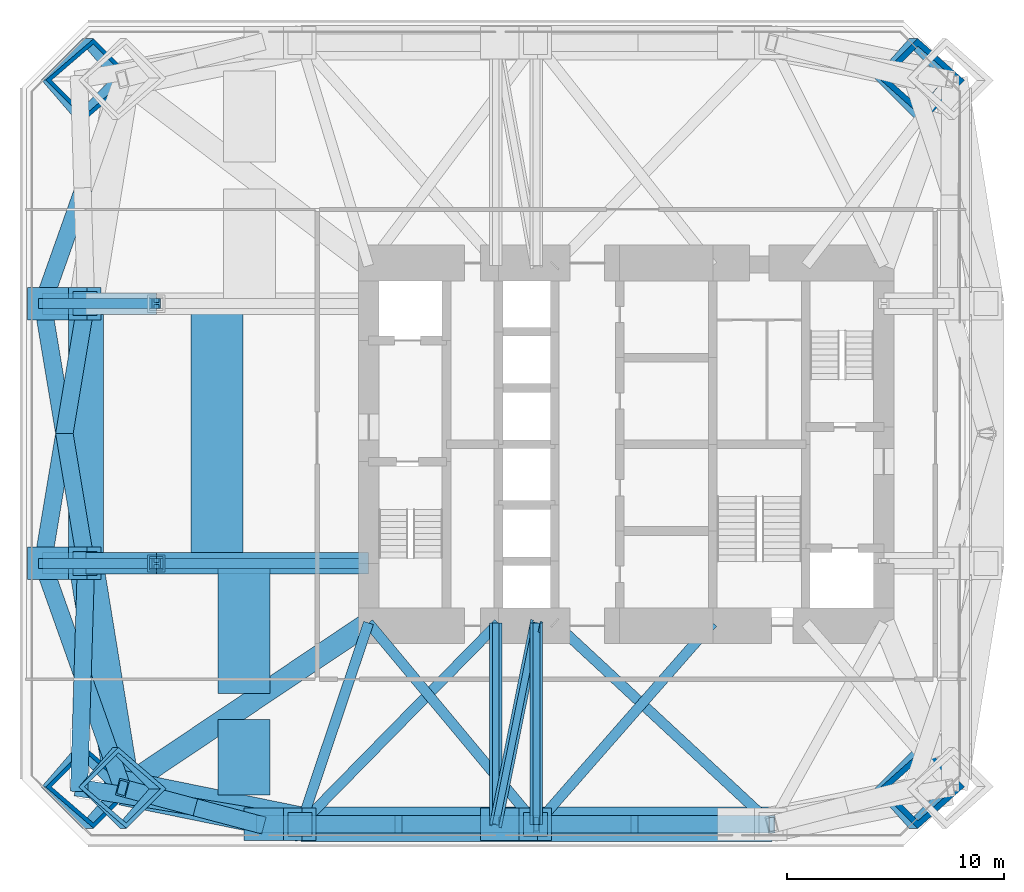
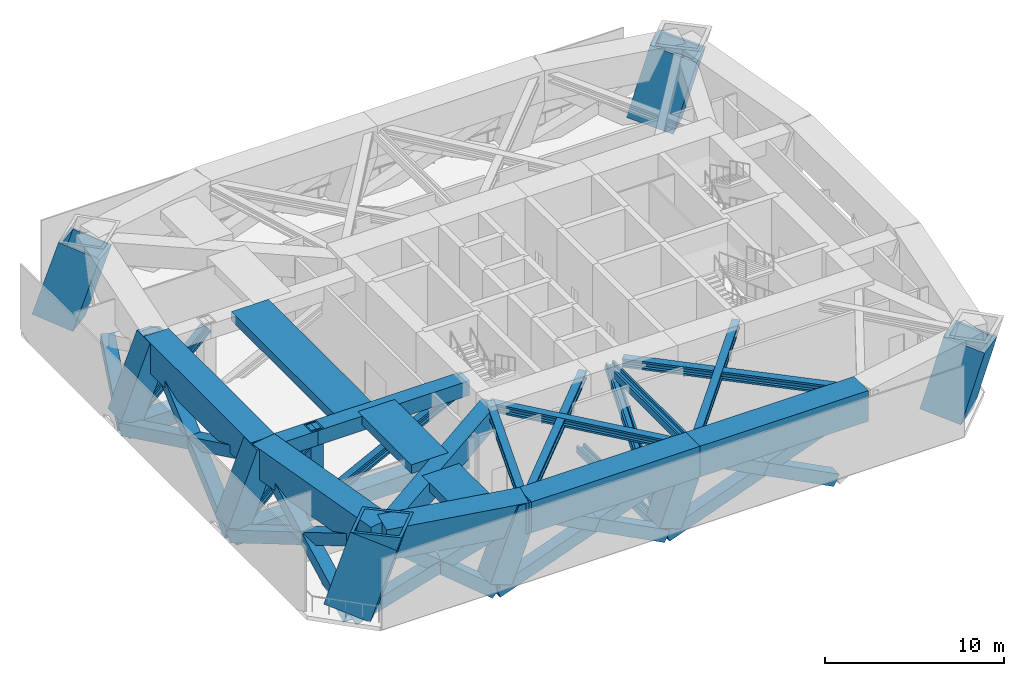
# One storey, part 1 of 8: 43 members, 9 beams, 4 columns.
"""IFC4 building model written with IfcOpenShell, lengths in metres."""

from ifc_helpers import new_model, si_unit, direction, frame, origin, origin_2d, place, context, subcontext, project, spatial, rectangle, hollow_rectangle, i_section, extrude, clip, halfspace, material, material_profile, profile_set, type_object, element, save


model = new_model("IFC4")

# Units and contexts
model_context = context("Model", 3, precision=1e-05, world=origin(), true_north=direction((0.0, 1.0)))
body_context = subcontext(model_context, "Body", "Model", "MODEL_VIEW")
ifc_project = project(units=[si_unit("LENGTHUNIT", "METRE"), si_unit("AREAUNIT", "SQUARE_METRE"), si_unit("VOLUMEUNIT", "CUBIC_METRE"), si_unit("PLANEANGLEUNIT", "RADIAN"), si_unit("MASSUNIT", "GRAM", prefix="KILO")], contexts=[model_context])

# Site, building, storey
site_placement = place(None, origin())
site = spatial("IfcSite", under=ifc_project, at=site_placement, CompositionType="ELEMENT")
building_placement = place(site_placement, origin())
building = spatial("IfcBuilding", under=site, at=building_placement, Name="Jalousie Tower", CompositionType="ELEMENT")
storey_placement = place(building_placement, frame((0.0, 0.0, 79.75)))
storey = spatial("IfcBuildingStorey", under=building, at=storey_placement, Name="L21", CompositionType="ELEMENT", Elevation=79.75)

# Columns
ifc_material_1 = material(Name="Steel EN 10025-2 S355J2 plate", Category="steel")
ifc_material_profile_1 = material_profile(ifc_material_1, hollow_rectangle(XDim=2.5, YDim=2.800048828125, WallThickness=0.175048828125, at=origin_2d()), Name="BOX 2800x2500x175")
ifc_profile_set_1 = profile_set([ifc_material_profile_1], Name="Steel EN 10025-2 S355J2 plate")
column_type_1 = type_object("IfcColumnType", Name="BUILT-UP BOX CORNER COLUMN BOX 2800x2500x175", PredefinedType="COLUMN", material=ifc_profile_set_1)
for number, where, z_axis, x_axis, name in (
    (1, (6.63134765625, 2.63134765625, 0.0), (0.371390676354, 0.0, 0.928476690885), (0.631748504238, 0.732827974204, -0.252699401695), "Corner column raked 01 L21"),
    (2, (6.63134765625, 35.36865234375, 0.0), (0.371390676354, 0.0, 0.928476690885), (0.631748504238, -0.732827974204, -0.252699401695), "Corner column raked 12 L21"),
):
    element("IfcColumn", number, at=place(storey_placement, frame(where, z_axis=z_axis, x_axis=x_axis)), inside=storey, type_object=column_type_1, Name=name, PredefinedType="COLUMN", context=body_context, shape_type="SweptSolid", body=[
        extrude(hollow_rectangle(XDim=2.5, YDim=2.800048828125, WallThickness=0.175048828125, at=origin_2d()), origin(), (0.0, 0.0, 1.0), 4.634521484375),
    ])
ifc_material_2 = material(Name="Steel EN 10025-2 S355J2 plate", Category="steel")
ifc_material_profile_2 = material_profile(ifc_material_2, hollow_rectangle(XDim=2.5, YDim=2.800048828125, WallThickness=0.25, at=origin_2d()), Name="BOX 2800x2500x250")
ifc_profile_set_2 = profile_set([ifc_material_profile_2], Name="Steel EN 10025-2 S355J2 plate")
column_type_2 = type_object("IfcColumnType", Name="BUILT-UP BOX CORNER COLUMN BOX 2800x2500x250", PredefinedType="COLUMN", material=ifc_profile_set_2)
for number, where, z_axis, x_axis, name in (
    (3, (45.11865234375, 2.63134765625, 0.0), (0.330350424728, 0.0, 0.943858356366), (-0.647863070943, 0.727225506888, 0.22675207483), "Corner column raked 05 L21"),
    (4, (45.11865234375, 35.36865234375, 0.0), (0.330350424728, 0.0, 0.943858356366), (-0.647863070943, -0.727225506888, 0.22675207483), "Corner column raked 08 L21"),
):
    element("IfcColumn", number, at=place(storey_placement, frame(where, z_axis=z_axis, x_axis=x_axis)), inside=storey, type_object=column_type_2, Name=name, PredefinedType="COLUMN", context=body_context, shape_type="SweptSolid", body=[
        extrude(hollow_rectangle(XDim=2.5, YDim=2.800048828125, WallThickness=0.25, at=origin_2d()), origin(), (0.0, 0.0, 1.0), 4.640869140625),
    ])

# Beam
ifc_material_3 = material(Name="Steel ASTM A572 Grade 50 plate", Category="steel")
ifc_material_profile_3 = material_profile(ifc_material_3, hollow_rectangle(XDim=1.0, YDim=1.5, WallThickness=0.10009765625, at=origin_2d()), Name="BOX 1500x1000x100")
ifc_profile_set_3 = profile_set([ifc_material_profile_3], Name="Steel ASTM A572 Grade 50 plate")
beam_type_1 = type_object("IfcBeamType", Name="KINK COLLECTOR BOX 1500x1000x100", PredefinedType="BEAM", material=ifc_profile_set_3)
beam_1_placement = place(storey_placement, frame((9.5654296875, 3.25732421875, 3.969970703125), z_axis=(0.830714249431, 0.556699053163, 0.0), x_axis=(-0.556699053163, 0.830714249431, 0.0)))
element("IfcBeam", 5, at=beam_1_placement, inside=storey, type_object=beam_type_1, Name="Kink collector 01 L22", PredefinedType="BEAM", context=body_context, shape_type="SweptSolid", body=[
    extrude(hollow_rectangle(XDim=1.0, YDim=1.5, WallThickness=0.10009765625, at=origin_2d()), origin(), (0.0, 0.0, 1.0), 12.56103515625),
])

# Members
ifc_material_4 = material(Name="Steel ASTM A992 Grade 50", Category="steel")
ifc_material_profile_4 = material_profile(ifc_material_4, i_section(OverallWidth=0.472412109375, OverallDepth=0.5791015625, WebThickness=0.094970703125, FlangeThickness=0.1298828125, at=origin_2d()), Name="W14X808")
ifc_profile_set_4 = profile_set([ifc_material_profile_4], Name="Steel ASTM A992 Grade 50")
member_type_1 = type_object("IfcMemberType", Name="KINK FLOOR TRUSS DIAGONAL W14X808", PredefinedType="BRACE", material=ifc_profile_set_4)
member_1_placement = place(storey_placement, frame((16.875, 0.949951171875, 4.430419921875), z_axis=(0.318518684712, 0.947916582558, 0.0), x_axis=(-0.947916582558, 0.318518684712, 0.0)))
element("IfcMember", 6, at=member_1_placement, inside=storey, type_object=member_type_1, Name="Kink floor truss L22 02 diagonal", PredefinedType="BRACE", context=body_context, shape_type="SweptSolid", body=[
    extrude(i_section(OverallWidth=0.472412109375, OverallDepth=0.5791015625, WebThickness=0.094970703125, FlangeThickness=0.1298828125, at=origin_2d()), origin(), (0.0, 0.0, 1.0), 9.81103515625),
])
member_2_placement = place(storey_placement, frame((16.875, 0.949951171875, 4.430419921875), z_axis=(0.700357242992, 0.713792499392, 0.0), x_axis=(-0.713792499392, 0.700357242992, 0.0)))
element("IfcMember", 7, at=member_2_placement, inside=storey, type_object=member_type_1, Name="Kink floor truss L22 02 diagonal", PredefinedType="BRACE", context=body_context, shape_type="SweptSolid", body=[
    extrude(i_section(OverallWidth=0.472412109375, OverallDepth=0.5791015625, WebThickness=0.094970703125, FlangeThickness=0.1298828125, at=origin_2d()), origin(), (0.0, 0.0, 1.0), 13.029052734375),
])
member_3_placement = place(storey_placement, frame((27.75, 0.949951171875, 4.430419921875), z_axis=(-0.640182416019, 0.768222932631, 0.0), x_axis=(-0.768222932631, -0.640182416019, 0.0)))
element("IfcMember", 8, at=member_3_placement, inside=storey, type_object=member_type_1, Name="Kink floor truss L22 03 diagonal", PredefinedType="BRACE", context=body_context, shape_type="SweptSolid", body=[
    extrude(i_section(OverallWidth=0.472412109375, OverallDepth=0.5791015625, WebThickness=0.094970703125, FlangeThickness=0.1298828125, at=origin_2d()), origin(), (0.0, 0.0, 1.0), 12.10595703125),
])
member_4_placement = place(storey_placement, frame((27.75, 0.949951171875, 4.430419921875), z_axis=(0.659070512372, 0.752081152351, 0.0), x_axis=(-0.752081152351, 0.659070512372, 0.0)))
element("IfcMember", 9, at=member_4_placement, inside=storey, type_object=member_type_1, Name="Kink floor truss L22 03 diagonal", PredefinedType="BRACE", context=body_context, shape_type="SweptSolid", body=[
    extrude(i_section(OverallWidth=0.472412109375, OverallDepth=0.5791015625, WebThickness=0.094970703125, FlangeThickness=0.1298828125, at=origin_2d()), origin(), (0.0, 0.0, 1.0), 12.36572265625),
])
member_5_placement = place(storey_placement, frame((38.625, 0.949951171875, 4.430419921875), z_axis=(-0.733113898794, 0.680105882489, 0.0), x_axis=(-0.680105882489, -0.733113898794, 0.0)))
element("IfcMember", 10, at=member_5_placement, inside=storey, type_object=member_type_1, Name="Kink floor truss L22 04 diagonal", PredefinedType="BRACE", context=body_context, shape_type="SweptSolid", body=[
    extrude(i_section(OverallWidth=0.472412109375, OverallDepth=0.5791015625, WebThickness=0.094970703125, FlangeThickness=0.1298828125, at=origin_2d()), origin(), (0.0, 0.0, 1.0), 13.67431640625),
])
ifc_material_5 = material(Name="Steel EN 10025-2 S355J2 plate", Category="steel")
ifc_material_profile_5 = material_profile(ifc_material_5, hollow_rectangle(XDim=2.5, YDim=2.800048828125, WallThickness=0.175048828125, at=origin_2d()), Name="BOX 2800x2500x175")
ifc_profile_set_5 = profile_set([ifc_material_profile_5], Name="Steel EN 10025-2 S355J2 plate")
member_type_2 = type_object("IfcMemberType", Name="KINK NODE BOX 2800x2500x175", PredefinedType="MEMBER", material=ifc_profile_set_5)
member_6_placement = place(storey_placement, frame((8.3525390625, 2.63134765625, 4.302978515625), z_axis=(0.371390676354, 0.0, 0.928476690885), x_axis=(0.631748504238, 0.732827974204, -0.252699401695)))
element("IfcMember", 11, at=member_6_placement, inside=storey, type_object=member_type_2, Name="Kink node of corner column 01 at +84.750", PredefinedType="MEMBER", context=body_context, shape_type="Clipping", body=[
    clip(extrude(hollow_rectangle(XDim=2.5, YDim=2.800048828125, WallThickness=0.175048828125, at=origin_2d()), origin(), (0.0, 0.0, 1.0), 1.50146484375), halfspace(frame((0.0, 0.0, 0.750732421875), z_axis=(-0.252699401695, 0.272165476991, 0.928476690885)), False)),
])
ifc_material_6 = material(Name="Steel ASTM A992 Grade 50", Category="steel")
ifc_material_profile_6 = material_profile(ifc_material_6, i_section(OverallWidth=0.472412109375, OverallDepth=0.5791015625, WebThickness=0.094970703125, FlangeThickness=0.1298828125, at=origin_2d()), Name="W14X808")
ifc_profile_set_6 = profile_set([ifc_material_profile_6], Name="Steel ASTM A992 Grade 50")
member_type_3 = type_object("IfcMemberType", Name="NORTH-SOUTH OUTRIGGER CHORD W14X808", PredefinedType="CHORD", material=ifc_profile_set_6)
for number, where, z_axis, x_axis, name in (
    (12, (25.875, 0.949951171875, -0.569580078125), (0.0, 1.0, 0.0), (0.0, 0.0, 1.0), "Outrigger T1 S03 chord L21"),
    (13, (27.75, 0.949951171875, 4.430419921875), (0.0, 1.0, 0.0), (0.0, 0.0, 1.0), "Outrigger T1 S03 chord L22"),
):
    element("IfcMember", number, at=place(storey_placement, frame(where, z_axis=z_axis, x_axis=x_axis)), inside=storey, type_object=member_type_3, Name=name, PredefinedType="CHORD", context=body_context, shape_type="SweptSolid", body=[
        extrude(i_section(OverallWidth=0.472412109375, OverallDepth=0.5791015625, WebThickness=0.094970703125, FlangeThickness=0.1298828125, at=origin_2d()), origin(), (0.0, 0.0, 1.0), 9.300048828125),
    ])
ifc_material_7 = material(Name="Steel ASTM A992 Grade 50", Category="steel")
ifc_material_profile_7 = material_profile(ifc_material_7, i_section(OverallWidth=0.45458984375, OverallDepth=0.569091796875, WebThickness=0.077880859375, FlangeThickness=0.124755859375, at=origin_2d()), Name="W14X730")
ifc_profile_set_7 = profile_set([ifc_material_profile_7], Name="Steel ASTM A992 Grade 50")
member_type_4 = type_object("IfcMemberType", Name="NORTH-SOUTH OUTRIGGER DIAGONAL W14X730", PredefinedType="BRACE", material=ifc_profile_set_7)
member_7_placement = place(storey_placement, frame((25.875, 0.949951171875, -0.569580078125), z_axis=(0.174839685252, 0.867209391967, 0.466239160672), x_axis=(-0.092145260725, -0.457042892812, 0.884658716713)))
element("IfcMember", 14, at=member_7_placement, inside=storey, type_object=member_type_4, Name="Outrigger T1 S03 diagonal L21", PredefinedType="BRACE", context=body_context, shape_type="SweptSolid", body=[
    extrude(i_section(OverallWidth=0.45458984375, OverallDepth=0.569091796875, WebThickness=0.077880859375, FlangeThickness=0.124755859375, at=origin_2d()), origin(), (0.0, 0.0, 1.0), 10.72412109375),
])
ifc_material_8 = material(Name="Steel EN 10025-2 S355J2 plate", Category="steel")
ifc_material_profile_8 = material_profile(ifc_material_8, hollow_rectangle(XDim=1.0, YDim=1.0, WallThickness=0.199951171875, at=origin_2d()), Name="BOX 1000x1000x200")
ifc_profile_set_8 = profile_set([ifc_material_profile_8], Name="Steel EN 10025-2 S355J2 plate")
member_type_5 = type_object("IfcMemberType", Name="OUTRIGGER CHORD BOX 1000x1000x200", PredefinedType="CHORD", material=ifc_profile_set_8)
member_8_placement = place(storey_placement, frame((4.949951171875, 13.0, -0.780029296875), z_axis=(1.0, 0.0, 0.0), x_axis=(0.0, 1.0, 0.0)))
element("IfcMember", 15, at=member_8_placement, inside=storey, type_object=member_type_5, Name="Outrigger T1 west arm at column 14 chord L21", PredefinedType="CHORD", context=body_context, shape_type="SweptSolid", body=[
    extrude(hollow_rectangle(XDim=1.0, YDim=1.0, WallThickness=0.199951171875, at=origin_2d()), origin(), (0.0, 0.0, 1.0), 5.25),
])
member_9_placement = place(storey_placement, frame((10.199951171875, 13.0, -0.780029296875), z_axis=(1.0, 0.0, 0.0), x_axis=(0.0, 1.0, 0.0)))
element("IfcMember", 16, at=member_9_placement, inside=storey, type_object=member_type_5, Name="Outrigger T1 west arm at column 14 chord L21", PredefinedType="CHORD", context=body_context, shape_type="SweptSolid", body=[
    extrude(hollow_rectangle(XDim=1.0, YDim=1.0, WallThickness=0.199951171875, at=origin_2d()), origin(), (0.0, 0.0, 1.0), 9.800048828125),
])
member_10_placement = place(storey_placement, frame((6.949951171875, 13.0, 4.219970703125), z_axis=(1.0, 0.0, 0.0), x_axis=(0.0, 1.0, 0.0)))
element("IfcMember", 17, at=member_10_placement, inside=storey, type_object=member_type_5, Name="Outrigger T1 west arm at column 14 chord L22", PredefinedType="CHORD", context=body_context, shape_type="SweptSolid", body=[
    extrude(hollow_rectangle(XDim=1.0, YDim=1.0, WallThickness=0.199951171875, at=origin_2d()), origin(), (0.0, 0.0, 1.0), 3.25),
])
member_11_placement = place(storey_placement, frame((10.199951171875, 13.0, 4.219970703125), z_axis=(1.0, 0.0, 0.0), x_axis=(0.0, 1.0, 0.0)))
element("IfcMember", 18, at=member_11_placement, inside=storey, type_object=member_type_5, Name="Outrigger T1 west arm at column 14 chord L22", PredefinedType="CHORD", context=body_context, shape_type="SweptSolid", body=[
    extrude(hollow_rectangle(XDim=1.0, YDim=1.0, WallThickness=0.199951171875, at=origin_2d()), origin(), (0.0, 0.0, 1.0), 9.800048828125),
])
member_12_placement = place(storey_placement, frame((4.949951171875, 25.0, -0.780029296875), z_axis=(1.0, 0.0, 0.0), x_axis=(0.0, 1.0, 0.0)))
element("IfcMember", 19, at=member_12_placement, inside=storey, type_object=member_type_5, Name="Outrigger T1 west arm at column 13 chord L21", PredefinedType="CHORD", context=body_context, shape_type="SweptSolid", body=[
    extrude(hollow_rectangle(XDim=1.0, YDim=1.0, WallThickness=0.199951171875, at=origin_2d()), origin(), (0.0, 0.0, 1.0), 5.25),
])
ifc_material_9 = material(Name="Steel ASTM A992 Grade 50", Category="steel")
ifc_material_profile_9 = material_profile(ifc_material_9, i_section(OverallWidth=0.472412109375, OverallDepth=0.5791015625, WebThickness=0.094970703125, FlangeThickness=0.1298828125, at=origin_2d()), Name="W14X808")
ifc_profile_set_9 = profile_set([ifc_material_profile_9], Name="Steel ASTM A992 Grade 50")
member_type_6 = type_object("IfcMemberType", Name="OUTRIGGER DIAGONAL W14X808", PredefinedType="BRACE", material=ifc_profile_set_9)
member_13_placement = place(storey_placement, frame((4.949951171875, 13.0, -0.780029296875), z_axis=(0.724137931034, 0.0, 0.689655172414), x_axis=(0.0, 1.0, 0.0)))
element("IfcMember", 20, at=member_13_placement, inside=storey, type_object=member_type_6, Name="Outrigger T1 west arm at column 14 diagonal L21", PredefinedType="BRACE", context=body_context, shape_type="SweptSolid", body=[
    extrude(i_section(OverallWidth=0.472412109375, OverallDepth=0.5791015625, WebThickness=0.094970703125, FlangeThickness=0.1298828125, at=origin_2d()), origin(), (0.0, 0.0, 1.0), 7.25),
])
member_14_placement = place(storey_placement, frame((10.199951171875, 13.0, -0.780029296875), z_axis=(0.890762786381, 0.0, 0.454468545006), x_axis=(0.0, 1.0, 0.0)))
element("IfcMember", 21, at=member_14_placement, inside=storey, type_object=member_type_6, Name="Outrigger T1 west arm at column 14 diagonal L21", PredefinedType="BRACE", context=body_context, shape_type="SweptSolid", body=[
    extrude(i_section(OverallWidth=0.472412109375, OverallDepth=0.5791015625, WebThickness=0.094970703125, FlangeThickness=0.1298828125, at=origin_2d()), origin(), (0.0, 0.0, 1.0), 11.001953125),
])
member_15_placement = place(storey_placement, frame((4.949951171875, 25.0, -0.780029296875), z_axis=(0.724137931034, 0.0, 0.689655172414), x_axis=(0.0, 1.0, 0.0)))
element("IfcMember", 22, at=member_15_placement, inside=storey, type_object=member_type_6, Name="Outrigger T1 west arm at column 13 diagonal L21", PredefinedType="BRACE", context=body_context, shape_type="SweptSolid", body=[
    extrude(i_section(OverallWidth=0.472412109375, OverallDepth=0.5791015625, WebThickness=0.094970703125, FlangeThickness=0.1298828125, at=origin_2d()), origin(), (0.0, 0.0, 1.0), 7.25),
])
ifc_material_10 = material(Name="Steel ASTM A572 Grade 50 plate", Category="steel")
ifc_material_profile_10 = material_profile(ifc_material_10, hollow_rectangle(XDim=0.800048828125, YDim=0.800048828125, WallThickness=0.090087890625, at=origin_2d()), Name="BOX 800x800x90")
ifc_profile_set_10 = profile_set([ifc_material_profile_10], Name="Steel ASTM A572 Grade 50 plate")
member_type_7 = type_object("IfcMemberType", Name="OUTRIGGER POST BOX 800x800x90", PredefinedType="POST", material=ifc_profile_set_10)
member_16_placement = place(storey_placement, frame((10.199951171875, 13.0, -0.780029296875), z_axis=(0.0, 0.0, 1.0), x_axis=(1.0, 0.0, 0.0)))
element("IfcMember", 23, at=member_16_placement, inside=storey, type_object=member_type_7, Name="Outrigger T1 west arm at column 14 post L21", PredefinedType="POST", context=body_context, shape_type="SweptSolid", body=[
    extrude(hollow_rectangle(XDim=0.800048828125, YDim=0.800048828125, WallThickness=0.090087890625, at=origin_2d()), origin(), (0.0, 0.0, 1.0), 5.5),
])
ifc_material_11 = material(Name="Steel ASTM A572 Grade 50 plate", Category="steel")
ifc_material_profile_11 = material_profile(ifc_material_11, hollow_rectangle(XDim=0.800048828125, YDim=0.800048828125, WallThickness=0.080078125, at=origin_2d()), Name="BOX 800x800x80")
ifc_profile_set_11 = profile_set([ifc_material_profile_11], Name="Steel ASTM A572 Grade 50 plate")
member_type_8 = type_object("IfcMemberType", Name="PERIMETER BRACE BOX 800x800x80", PredefinedType="BRACE", material=ifc_profile_set_11)
member_17_placement = place(storey_placement, frame((6.63134765625, 2.63134765625, -0.75), z_axis=(0.89905611793, -0.147032113118, 0.41240714655), x_axis=(0.16139645565, 0.986889651432, 0.0)))
element("IfcMember", 24, at=member_17_placement, inside=storey, type_object=member_type_8, Name="Perimeter brace 01-02 L21 part 1", PredefinedType="BRACE", context=body_context, shape_type="SweptSolid", body=[
    extrude(hollow_rectangle(XDim=0.800048828125, YDim=0.800048828125, WallThickness=0.080078125, at=origin_2d()), origin(), (0.0, 0.0, 1.0), 5.718505859375),
])
member_18_placement = place(storey_placement, frame((11.772705078125, 1.79052734375, 1.6083984375), z_axis=(0.898842453647, -0.14807955251, 0.412498108662), x_axis=(0.162553573519, 0.986699719133, 0.0)))
element("IfcMember", 25, at=member_18_placement, inside=storey, type_object=member_type_8, Name="Perimeter brace 01-02 L21 part 2", PredefinedType="BRACE", context=body_context, shape_type="SweptSolid", body=[
    extrude(hollow_rectangle(XDim=0.800048828125, YDim=0.800048828125, WallThickness=0.080078125, at=origin_2d()), origin(), (0.0, 0.0, 1.0), 5.676513671875),
])
member_19_placement = place(storey_placement, frame((14.9375, 0.949951171875, -0.75), z_axis=(-0.78425599447, 0.20830003772, 0.584425897291), x_axis=(-0.256701936277, -0.966490618636, 0.0)))
element("IfcMember", 26, at=member_19_placement, inside=storey, type_object=member_type_8, Name="Perimeter brace 01-02 L21 part 3", PredefinedType="BRACE", context=body_context, shape_type="SweptSolid", body=[
    extrude(hollow_rectangle(XDim=0.800048828125, YDim=0.800048828125, WallThickness=0.080078125, at=origin_2d()), origin(), (0.0, 0.0, 1.0), 4.035400390625),
])
member_20_placement = place(storey_placement, frame((11.772705078125, 1.79052734375, 1.6083984375), z_axis=(-0.783920409639, 0.209825281013, 0.584330508188), x_axis=(-0.258559706194, -0.965995278629, 0.0)))
element("IfcMember", 27, at=member_20_placement, inside=storey, type_object=member_type_8, Name="Perimeter brace 01-02 L21 part 4", PredefinedType="BRACE", context=body_context, shape_type="SweptSolid", body=[
    extrude(hollow_rectangle(XDim=0.800048828125, YDim=0.800048828125, WallThickness=0.080078125, at=origin_2d()), origin(), (0.0, 0.0, 1.0), 4.00732421875),
])
member_21_placement = place(storey_placement, frame((14.9375, 0.949951171875, -0.75), z_axis=(0.938828260466, 0.0, 0.344385681105), x_axis=(0.0, 1.0, 0.0)))
element("IfcMember", 28, at=member_21_placement, inside=storey, type_object=member_type_8, Name="Perimeter brace 02-03 L21 part 1", PredefinedType="BRACE", context=body_context, shape_type="SweptSolid", body=[
    extrude(hollow_rectangle(XDim=0.800048828125, YDim=0.800048828125, WallThickness=0.080078125, at=origin_2d()), origin(), (0.0, 0.0, 1.0), 6.84326171875),
])
member_22_placement = place(storey_placement, frame((21.362060546875, 0.949951171875, 1.606689453125), z_axis=(0.938827984933, 0.0, 0.344386432233), x_axis=(0.0, 1.0, 0.0)))
element("IfcMember", 29, at=member_22_placement, inside=storey, type_object=member_type_8, Name="Perimeter brace 02-03 L21 part 2", PredefinedType="BRACE", context=body_context, shape_type="SweptSolid", body=[
    extrude(hollow_rectangle(XDim=0.800048828125, YDim=0.800048828125, WallThickness=0.080078125, at=origin_2d()), origin(), (0.0, 0.0, 1.0), 6.80419921875),
])
member_23_placement = place(storey_placement, frame((25.875, 0.949951171875, -0.75), z_axis=(-0.886414634316, 0.0, 0.462892099814), x_axis=(0.0, -1.0, 0.0)))
element("IfcMember", 30, at=member_23_placement, inside=storey, type_object=member_type_8, Name="Perimeter brace 02-03 L21 part 3", PredefinedType="BRACE", context=body_context, shape_type="SweptSolid", body=[
    extrude(hollow_rectangle(XDim=0.800048828125, YDim=0.800048828125, WallThickness=0.080078125, at=origin_2d()), origin(), (0.0, 0.0, 1.0), 5.09130859375),
])
member_24_placement = place(storey_placement, frame((21.362060546875, 0.949951171875, 1.606689453125), z_axis=(-0.886407629576, 0.0, 0.462905513285), x_axis=(0.0, -1.0, 0.0)))
element("IfcMember", 31, at=member_24_placement, inside=storey, type_object=member_type_8, Name="Perimeter brace 02-03 L21 part 4", PredefinedType="BRACE", context=body_context, shape_type="SweptSolid", body=[
    extrude(hollow_rectangle(XDim=0.800048828125, YDim=0.800048828125, WallThickness=0.080078125, at=origin_2d()), origin(), (0.0, 0.0, 1.0), 5.06201171875),
])
member_25_placement = place(storey_placement, frame((25.875, 0.949951171875, -0.75), z_axis=(0.938283152813, 0.0, 0.345868074774), x_axis=(0.0, 1.0, 0.0)))
element("IfcMember", 32, at=member_25_placement, inside=storey, type_object=member_type_8, Name="Perimeter brace 03-04 L21 part 1", PredefinedType="BRACE", context=body_context, shape_type="SweptSolid", body=[
    extrude(hollow_rectangle(XDim=0.800048828125, YDim=0.800048828125, WallThickness=0.080078125, at=origin_2d()), origin(), (0.0, 0.0, 1.0), 6.813720703125),
])
member_26_placement = place(storey_placement, frame((32.268310546875, 0.949951171875, 1.606689453125), z_axis=(0.938279729725, 0.0, 0.345877360906), x_axis=(0.0, 1.0, 0.0)))
element("IfcMember", 33, at=member_26_placement, inside=storey, type_object=member_type_8, Name="Perimeter brace 03-04 L21 part 2", PredefinedType="BRACE", context=body_context, shape_type="SweptSolid", body=[
    extrude(hollow_rectangle(XDim=0.800048828125, YDim=0.800048828125, WallThickness=0.080078125, at=origin_2d()), origin(), (0.0, 0.0, 1.0), 6.77490234375),
])
member_27_placement = place(storey_placement, frame((36.8125, 0.949951171875, -0.75), z_axis=(-0.887719158296, 0.0, 0.460385377694), x_axis=(0.0, -1.0, 0.0)))
element("IfcMember", 34, at=member_27_placement, inside=storey, type_object=member_type_8, Name="Perimeter brace 03-04 L21 part 3", PredefinedType="BRACE", context=body_context, shape_type="SweptSolid", body=[
    extrude(hollow_rectangle(XDim=0.800048828125, YDim=0.800048828125, WallThickness=0.080078125, at=origin_2d()), origin(), (0.0, 0.0, 1.0), 5.118896484375),
])
member_28_placement = place(storey_placement, frame((32.268310546875, 0.949951171875, 1.606689453125), z_axis=(-0.887719681747, 0.0, 0.460384368369), x_axis=(0.0, -1.0, 0.0)))
element("IfcMember", 35, at=member_28_placement, inside=storey, type_object=member_type_8, Name="Perimeter brace 03-04 L21 part 4", PredefinedType="BRACE", context=body_context, shape_type="SweptSolid", body=[
    extrude(hollow_rectangle(XDim=0.800048828125, YDim=0.800048828125, WallThickness=0.080078125, at=origin_2d()), origin(), (0.0, 0.0, 1.0), 5.08984375),
])
member_29_placement = place(storey_placement, frame((4.949951171875, 25.0, -0.75), z_axis=(0.307707251324, 0.866599931283, 0.392836870192), x_axis=(-0.942357795334, 0.334606912023, 0.0)))
element("IfcMember", 36, at=member_29_placement, inside=storey, type_object=member_type_8, Name="Perimeter brace 12-13 L21 part 3", PredefinedType="BRACE", context=body_context, shape_type="SweptSolid", body=[
    extrude(hollow_rectangle(XDim=0.800048828125, YDim=0.800048828125, WallThickness=0.080078125, at=origin_2d()), origin(), (0.0, 0.0, 1.0), 5.982421875),
])
for number, where, z_axis, x_axis, name in (
    (37, (4.949951171875, 25.0, -0.75), (0.153351582209, -0.920109493251, 0.360391193931), (0.986393923832, 0.164398987305, 0.0), "Perimeter brace 13-14 L21 part 1"),
    (38, (5.949951171875, 19.0, 1.60009765625), (0.153353651287, -0.920121907723, 0.360358616611), (0.986393923832, 0.164398987305, 0.0), "Perimeter brace 13-14 L21 part 2"),
    (39, (4.949951171875, 13.0, -0.75), (0.153351582209, 0.920109493251, 0.360391193931), (-0.986393923832, 0.164398987305, 0.0), "Perimeter brace 13-14 L21 part 3"),
    (40, (5.949951171875, 19.0, 1.60009765625), (0.153353651287, 0.920121907723, 0.360358616611), (-0.986393923832, 0.164398987305, 0.0), "Perimeter brace 13-14 L21 part 4"),
):
    element("IfcMember", number, at=place(storey_placement, frame(where, z_axis=z_axis, x_axis=x_axis)), inside=storey, type_object=member_type_8, Name=name, PredefinedType="BRACE", context=body_context, shape_type="SweptSolid", body=[
        extrude(hollow_rectangle(XDim=0.800048828125, YDim=0.800048828125, WallThickness=0.080078125, at=origin_2d()), origin(), (0.0, 0.0, 1.0), 6.52099609375),
    ])
member_30_placement = place(storey_placement, frame((4.949951171875, 13.0, -0.75), z_axis=(0.307707251324, -0.866599931283, 0.392836870192), x_axis=(0.942357795334, 0.334606912023, 0.0)))
element("IfcMember", 41, at=member_30_placement, inside=storey, type_object=member_type_8, Name="Perimeter brace 14-01 L21 part 1", PredefinedType="BRACE", context=body_context, shape_type="SweptSolid", body=[
    extrude(hollow_rectangle(XDim=0.800048828125, YDim=0.800048828125, WallThickness=0.080078125, at=origin_2d()), origin(), (0.0, 0.0, 1.0), 5.982421875),
])
member_31_placement = place(storey_placement, frame((6.790771484375, 7.815673828125, 1.60009765625), z_axis=(0.307675237144, -0.866624706294, 0.392807289761), x_axis=(0.942371787829, 0.334567502164, 0.0)))
element("IfcMember", 42, at=member_31_placement, inside=storey, type_object=member_type_8, Name="Perimeter brace 14-01 L21 part 2", PredefinedType="BRACE", context=body_context, shape_type="SweptSolid", body=[
    extrude(hollow_rectangle(XDim=0.800048828125, YDim=0.800048828125, WallThickness=0.080078125, at=origin_2d()), origin(), (0.0, 0.0, 1.0), 5.982177734375),
])
for number, where, z_axis, x_axis, name in (
    (43, (6.63134765625, 2.63134765625, -0.75), (0.027996847846, 0.91043348241, 0.412706979123), (-0.999527519425, 0.03073658913, 0.0), "Perimeter brace 14-01 L21 part 3"),
    (44, (6.790771484375, 7.815673828125, 1.60009765625), (0.027954501802, 0.910450683702, 0.412671901607), (-0.999528964403, 0.030689563682, 0.0), "Perimeter brace 14-01 L21 part 4"),
):
    element("IfcMember", number, at=place(storey_placement, frame(where, z_axis=z_axis, x_axis=x_axis)), inside=storey, type_object=member_type_8, Name=name, PredefinedType="BRACE", context=body_context, shape_type="SweptSolid", body=[
        extrude(hollow_rectangle(XDim=0.800048828125, YDim=0.800048828125, WallThickness=0.080078125, at=origin_2d()), origin(), (0.0, 0.0, 1.0), 5.6943359375),
    ])

# Beams
ifc_material_12 = material(Name="Concrete f'c 40 MPa", Category="concrete")
ifc_material_profile_12 = material_profile(ifc_material_12, rectangle(XDim=1.60009765625, YDim=2.10009765625, at=origin_2d()), Name="RC 1600x2100")
ifc_profile_set_12 = profile_set([ifc_material_profile_12], Name="Concrete f'c 40 MPa")
beam_type_2 = type_object("IfcBeamType", Name="RC BEAM 1600x2100", PredefinedType="BEAM", material=ifc_profile_set_12)
beam_2_placement = place(storey_placement, frame((8.63134765625, 2.63134765625, 3.949951171875), z_axis=(0.97982690954, -0.199848010602, 0.0), x_axis=(0.199848010602, 0.97982690954, 0.0)))
element("IfcBeam", 45, at=beam_2_placement, inside=storey, type_object=beam_type_2, Name="Edge band beam 01-02 under L22", PredefinedType="BEAM", context=body_context, shape_type="SweptSolid", body=[
    extrude(rectangle(XDim=1.60009765625, YDim=2.10009765625, at=origin_2d()), origin(), (0.0, 0.0, 1.0), 8.413330078125),
])
for number, where, z_axis, x_axis, name in (
    (46, (16.875, 0.949951171875, 3.949951171875), (1.0, 0.0, 0.0), (0.0, 1.0, 0.0), "Edge band beam 02-03 under L22"),
    (47, (27.75, 0.949951171875, 3.949951171875), (1.0, 0.0, 0.0), (0.0, 1.0, 0.0), "Edge band beam 03-04 under L22"),
):
    element("IfcBeam", number, at=place(storey_placement, frame(where, z_axis=z_axis, x_axis=x_axis)), inside=storey, type_object=beam_type_2, Name=name, PredefinedType="BEAM", context=body_context, shape_type="SweptSolid", body=[
        extrude(rectangle(XDim=1.60009765625, YDim=2.10009765625, at=origin_2d()), origin(), (0.0, 0.0, 1.0), 10.875),
    ])
beam_3_placement = place(storey_placement, frame((6.949951171875, 25.0, 3.949951171875), z_axis=(0.0, -1.0, 0.0), x_axis=(1.0, 0.0, 0.0)))
element("IfcBeam", 48, at=beam_3_placement, inside=storey, type_object=beam_type_2, Name="Edge band beam 13-14 under L22", PredefinedType="BEAM", context=body_context, shape_type="SweptSolid", body=[
    extrude(rectangle(XDim=1.60009765625, YDim=2.10009765625, at=origin_2d()), origin(), (0.0, 0.0, 1.0), 12.0),
])
beam_4_placement = place(storey_placement, frame((6.949951171875, 13.0, 3.949951171875), z_axis=(0.160070546476, -0.987105577003, 0.0), x_axis=(0.987105577003, 0.160070546476, 0.0)))
element("IfcBeam", 49, at=beam_4_placement, inside=storey, type_object=beam_type_2, Name="Edge band beam 14-01 under L22", PredefinedType="BEAM", context=body_context, shape_type="SweptSolid", body=[
    extrude(rectangle(XDim=1.60009765625, YDim=2.10009765625, at=origin_2d()), origin(), (0.0, 0.0, 1.0), 10.504150390625),
])
ifc_material_13 = material(Name="Concrete f'c 40 MPa", Category="concrete")
ifc_material_profile_13 = material_profile(ifc_material_13, rectangle(XDim=2.39990234375, YDim=0.60009765625, at=origin_2d()), Name="RC 2400x600")
ifc_profile_set_13 = profile_set([ifc_material_profile_13], Name="Concrete f'c 40 MPa")
beam_type_3 = type_object("IfcBeamType", Name="RC BEAM 2400x600", PredefinedType="BEAM", material=ifc_profile_set_13)
beam_5_placement = place(storey_placement, frame((13.0, 13.0, 4.419921875), z_axis=(0.0, 1.0, 0.0), x_axis=(-1.0, 0.0, 0.0)))
element("IfcBeam", 50, at=beam_5_placement, inside=storey, type_object=beam_type_3, Name="Floor band beam under L22", PredefinedType="BEAM", context=body_context, shape_type="SweptSolid", body=[
    extrude(rectangle(XDim=2.39990234375, YDim=0.60009765625, at=origin_2d()), origin(), (0.0, 0.0, 1.0), 12.0),
])
beam_6_placement = place(storey_placement, frame((14.25, 2.302001953125, 4.419921875), z_axis=(0.0, 1.0, 0.0), x_axis=(-1.0, 0.0, 0.0)))
element("IfcBeam", 51, at=beam_6_placement, inside=storey, type_object=beam_type_3, Name="Floor band beam under L22", PredefinedType="BEAM", context=body_context, shape_type="SweptSolid", body=[
    extrude(rectangle(XDim=2.39990234375, YDim=0.60009765625, at=origin_2d()), origin(), (0.0, 0.0, 1.0), 3.492919921875),
])
beam_7_placement = place(storey_placement, frame((14.25, 6.99853515625, 4.419921875), z_axis=(0.0, 1.0, 0.0), x_axis=(-1.0, 0.0, 0.0)))
element("IfcBeam", 52, at=beam_7_placement, inside=storey, type_object=beam_type_3, Name="Floor band beam under L22", PredefinedType="BEAM", context=body_context, shape_type="SweptSolid", body=[
    extrude(rectangle(XDim=2.39990234375, YDim=0.60009765625, at=origin_2d()), origin(), (0.0, 0.0, 1.0), 6.00146484375),
])

# Members
ifc_material_14 = material(Name="Steel EN 10025-2 S355J2 plate", Category="steel")
ifc_material_profile_14 = material_profile(ifc_material_14, hollow_rectangle(XDim=1.5, YDim=1.5, WallThickness=0.199951171875, at=origin_2d()), Name="BOX 1500x1500x200")
ifc_profile_set_14 = profile_set([ifc_material_profile_14], Name="Steel EN 10025-2 S355J2 plate")
member_type_9 = type_object("IfcMemberType", Name="TRANSFER TRUSS STRUT BOX 1500x1500x200", PredefinedType="STRUT", material=ifc_profile_set_14)
member_32_placement = place(storey_placement, frame((14.9375, 0.949951171875, 0.0), z_axis=(0.361321067759, 0.0, 0.932441465184), x_axis=(0.0, 1.0, 0.0)))
element("IfcMember", 53, at=member_32_placement, inside=storey, type_object=member_type_9, Name="Transfer truss T1 strut 02 L21", PredefinedType="STRUT", context=body_context, shape_type="Clipping", body=[
    clip(extrude(hollow_rectangle(XDim=1.5, YDim=1.5, WallThickness=0.199951171875, at=origin_2d()), origin(), (0.0, 0.0, 1.0), 5.3623046875), halfspace(frame((0.0, 0.0, 5.3408203125), z_axis=(0.0, 0.361321067759, 0.932441465184)), False)),
])
member_33_placement = place(storey_placement, frame((25.875, 0.949951171875, 0.0), z_axis=(0.351123441588, 0.0, 0.936329177569), x_axis=(0.0, 1.0, 0.0)))
element("IfcMember", 54, at=member_33_placement, inside=storey, type_object=member_type_9, Name="Transfer truss T1 strut 03 L21", PredefinedType="STRUT", context=body_context, shape_type="Clipping", body=[
    clip(extrude(hollow_rectangle(XDim=1.5, YDim=1.5, WallThickness=0.199951171875, at=origin_2d()), origin(), (0.0, 0.0, 1.0), 5.340087890625), halfspace(frame((0.0, 0.0, 5.318603515625), z_axis=(0.0, 0.351123441588, 0.936329177569)), False)),
])
for number, where, z_axis, x_axis, name in (
    (55, (4.949951171875, 25.0, 0.0), (0.371390676354, 0.0, 0.928476690885), (0.0, 1.0, 0.0), "Transfer truss T1 strut 13 L21"),
    (56, (4.949951171875, 13.0, 0.0), (0.371390676354, 0.0, 0.928476690885), (0.0, 1.0, 0.0), "Transfer truss T1 strut 14 L21"),
):
    element("IfcMember", number, at=place(storey_placement, frame(where, z_axis=z_axis, x_axis=x_axis)), inside=storey, type_object=member_type_9, Name=name, PredefinedType="STRUT", context=body_context, shape_type="Clipping", body=[
        clip(extrude(hollow_rectangle(XDim=1.5, YDim=1.5, WallThickness=0.199951171875, at=origin_2d()), origin(), (0.0, 0.0, 1.0), 5.38525390625), halfspace(frame((0.0, 0.0, 5.363525390625), z_axis=(0.0, 0.371390676354, 0.928476690885)), False)),
    ])

save(model, "model.ifc")
